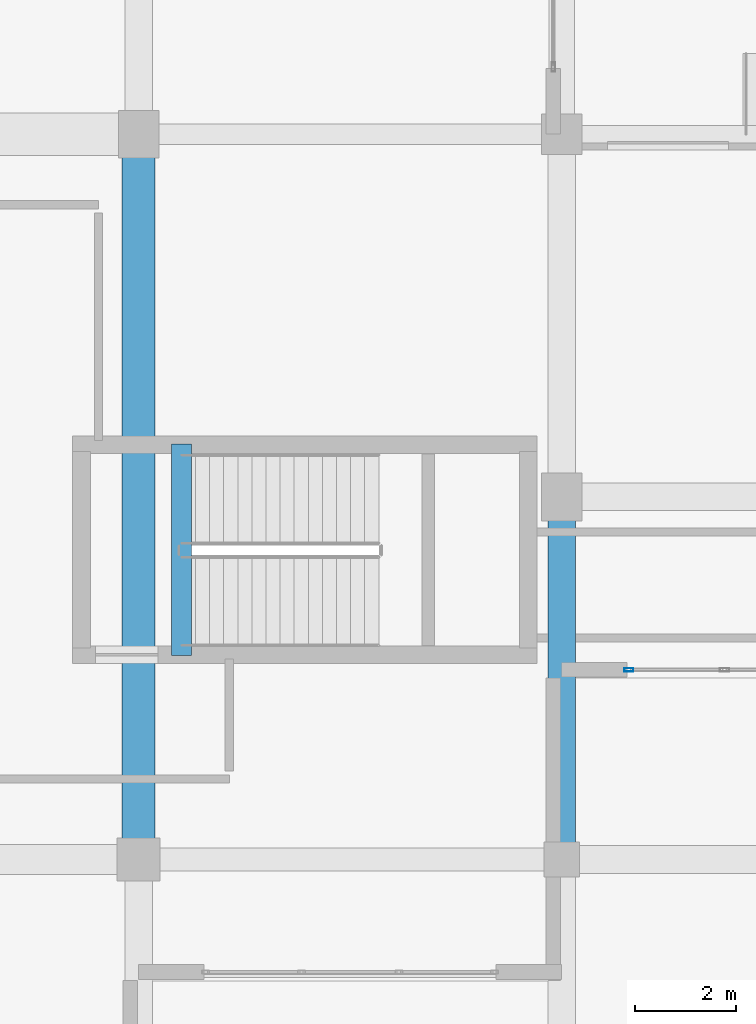
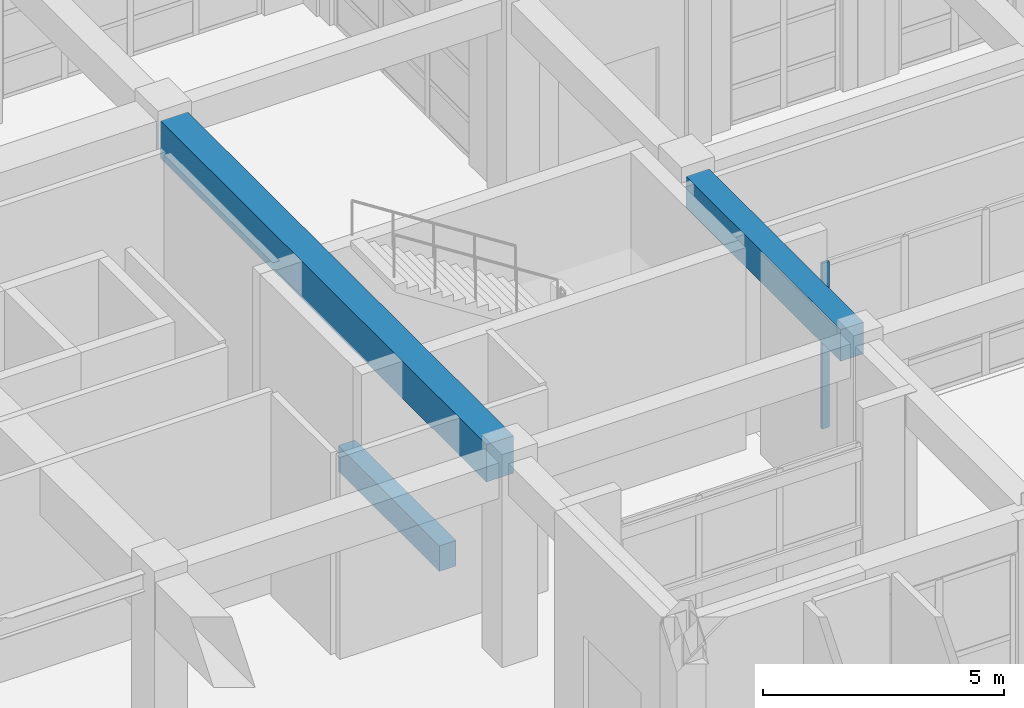
# One storey, part 71 of 148: 3 beams, 1 member, 1 element without a shape of its own.
"""IFC4 building model written with IfcOpenShell, lengths in metres."""

from ifc_helpers import new_model, si_unit, direction, frame, origin, origin_2d, place, context, subcontext, project, spatial, rectangle, hollow_rectangle, extrude, material, layer, layer_set, material_profile, profile_set, type_object, element, aggregate, save


model = new_model("IFC4")

# Units and contexts
model_context = context("Model", 3, precision=1e-05, world=origin(), true_north=direction((0.0, 1.0)))
body_context = subcontext(model_context, "Body", "Model", "MODEL_VIEW")
ifc_project = project(units=[si_unit("LENGTHUNIT", "METRE"), si_unit("AREAUNIT", "SQUARE_METRE"), si_unit("VOLUMEUNIT", "CUBIC_METRE"), si_unit("PLANEANGLEUNIT", "RADIAN"), si_unit("MASSUNIT", "GRAM", prefix="KILO")], contexts=[model_context])

# Site, building, storey
site_placement = place(None, origin())
site = spatial("IfcSite", under=ifc_project, at=site_placement, CompositionType="ELEMENT")
building_placement = place(site_placement, origin())
building = spatial("IfcBuilding", under=site, at=building_placement, Name="Quendrovan Civic Courthouse", CompositionType="ELEMENT")
storey_placement = place(building_placement, origin())
storey = spatial("IfcBuildingStorey", under=building, at=storey_placement, Name="L01", CompositionType="ELEMENT", Elevation=0.0)

# Beams
ifc_material_1 = material(Name="Post-tensioned concrete C50/60", Category="concrete")
ifc_material_profile_1 = material_profile(ifc_material_1, rectangle(XDim=0.64990234375, YDim=0.949951171875, at=origin_2d()), Name="PT-GIRD-650x950")
ifc_profile_set_1 = profile_set([ifc_material_profile_1], Name="Post-tensioned concrete C50/60")
beam_type_1 = type_object("IfcBeamType", Name="BM-PT950", PredefinedType="BEAM", material=ifc_profile_set_1)
beam_1_placement = place(storey_placement, frame((84.0, 88.0048828125, 4.64501953125), z_axis=(0.0, 1.0, 0.0), x_axis=(-1.0, 0.0, 0.0)))
element("IfcBeam", 1, at=beam_1_placement, inside=storey, type_object=beam_type_1, Name="L01 Girder Y0439", PredefinedType="BEAM", context=body_context, shape_type="SweptSolid", body=[
    extrude(rectangle(XDim=0.64990234375, YDim=0.949951171875, at=origin_2d()), origin(), (0.0, 0.0, 1.0), 13.5400390625),
])
ifc_material_2 = material(Name="Concrete C40/50", Category="concrete")
ifc_material_profile_2 = material_profile(ifc_material_2, rectangle(XDim=0.39990234375, YDim=0.64990234375, at=origin_2d()), Name="RC-BM-400x650")
ifc_profile_set_2 = profile_set([ifc_material_profile_2], Name="Concrete C40/50")
beam_type_2 = type_object("IfcBeamType", Name="BM-RC650", PredefinedType="JOIST", material=ifc_profile_set_2)
beam_2_placement = place(storey_placement, frame((84.85009765625, 91.64990234375, -0.324951171875), z_axis=(0.0, 1.0, 0.0), x_axis=(-1.0, 0.0, 0.0)))
element("IfcBeam", 2, at=beam_2_placement, inside=storey, type_object=beam_type_2, Name="L01 Stair ST3 Landing Trimmer Beam", PredefinedType="JOIST", context=body_context, shape_type="SweptSolid", body=[
    extrude(rectangle(XDim=0.39990234375, YDim=0.64990234375, at=origin_2d()), origin(), (0.0, 0.0, 1.0), 4.2001953125),
])
ifc_material_profile_3 = material_profile(ifc_material_2, rectangle(XDim=0.550048828125, YDim=0.800048828125, at=origin_2d()), Name="RC-BM-550x800")
ifc_profile_set_3 = profile_set([ifc_material_profile_3], Name="Concrete C40/50")
beam_type_3 = type_object("IfcBeamType", Name="BM-RC800", PredefinedType="BEAM", material=ifc_profile_set_3)
beam_3_placement = place(storey_placement, frame((92.39990234375, 87.929931640625, 4.719970703125), z_axis=(0.0, 1.0, 0.0), x_axis=(-1.0, 0.0, 0.0)))
element("IfcBeam", 3, at=beam_3_placement, inside=storey, type_object=beam_type_3, Name="L01 Girder Y0446", PredefinedType="BEAM", context=body_context, shape_type="SweptSolid", body=[
    extrude(rectangle(XDim=0.550048828125, YDim=0.800048828125, at=origin_2d()), origin(), (0.0, 0.0, 1.0), 6.4150390625),
])

# Curtain wall, member
ifc_material_3 = material(Name="Bronze anodised aluminium and low-E glass", Category="aluminium")
ifc_layer = layer(ifc_material_3, 0.179931640625, Name="Bronze anodised aluminium and low-E glass")
ifc_layer_set = layer_set([ifc_layer], Name="Bronze anodised aluminium and low-E glass")
curtain_wall_type = type_object("IfcCurtainWallType", Name="CW-U58x42", PredefinedType="USERDEFINED", material=ifc_layer_set)
curtain_wall_placement = place(storey_placement, origin())
curtain_wall = element("IfcCurtainWall", 4, at=curtain_wall_placement, inside=storey, type_object=curtain_wall_type, Name="L01 Unitised Hurricane Curtain Wall CW-050", ObjectType="UNITISED CURTAIN WALL", PredefinedType="USERDEFINED")
ifc_material_4 = material(Name="Bronze anodised aluminium", Category="aluminium")
ifc_material_profile_4 = material_profile(ifc_material_4, hollow_rectangle(XDim=0.070068359375, YDim=0.179931640625, WallThickness=0.00390625, at=origin_2d()), Name="CW-MULL-70x180")
ifc_profile_set_4 = profile_set([ifc_material_profile_4], Name="Bronze anodised aluminium")
member_type = type_object("IfcMemberType", Name="CW-MULL-A", PredefinedType="MULLION", material=ifc_profile_set_4)
member_placement = place(storey_placement, frame((93.735107421875, 91.364990234375, 0.0), z_axis=(0.0, 0.0, 1.0), x_axis=(0.0, -1.0, 0.0)))
member = element("IfcMember", 5, at=member_placement, type_object=member_type, Name="CW-050 mullion 4", PredefinedType="MULLION", context=body_context, shape_type="SweptSolid", body=[
    extrude(hollow_rectangle(XDim=0.070068359375, YDim=0.179931640625, WallThickness=0.00390625, at=origin_2d()), origin(), (0.0, 0.0, 1.0), 4.199951171875),
])
aggregate(curtain_wall, [member])

save(model, "model.ifc")
